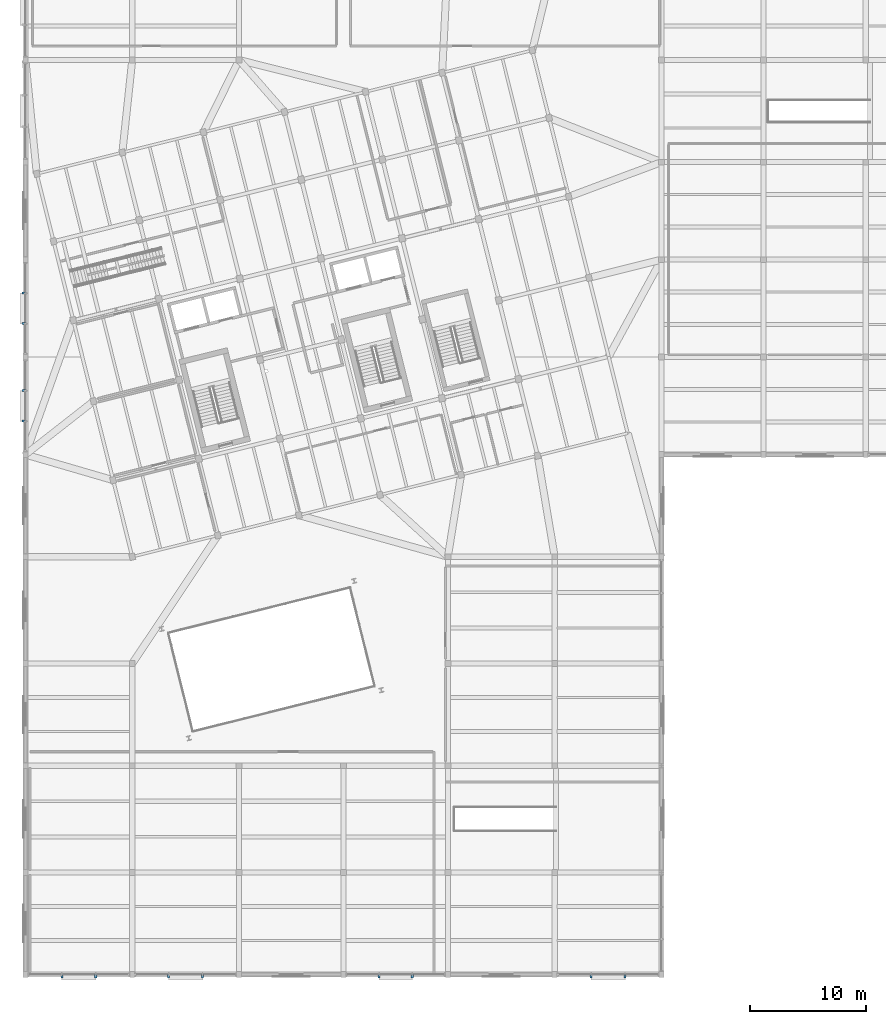
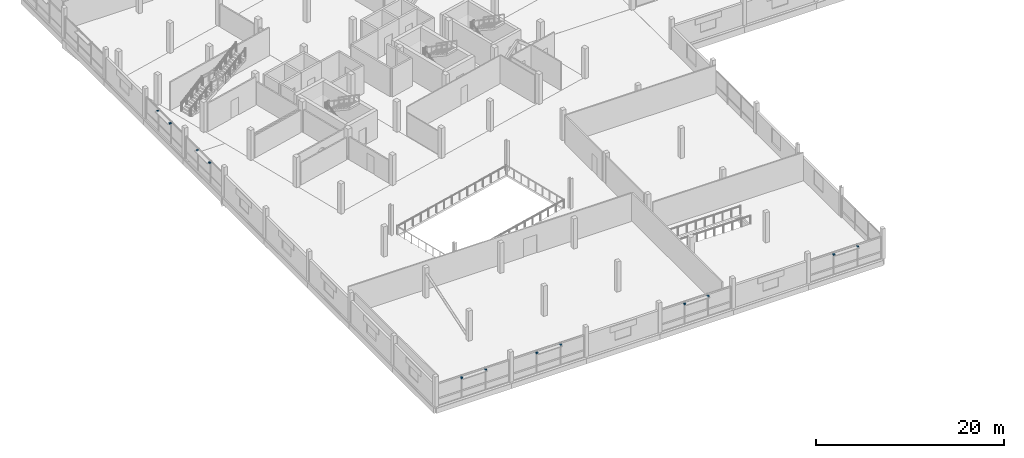
# One storey, part 57 of 62: 12 discrete accessories.
"""IFC4 building model written with IfcOpenShell, lengths in metres."""

from ifc_helpers import new_model, si_unit, direction, frame, origin, origin_2d, place, context, subcontext, project, spatial, rectangle, extrude, material, type_object, element, save


model = new_model("IFC4")

# Units and contexts
model_context = context("Model", 3, precision=1e-05, world=origin(), true_north=direction((0.0, 1.0)))
body_context = subcontext(model_context, "Body", "Model", "MODEL_VIEW")
ifc_project = project(units=[si_unit("LENGTHUNIT", "METRE"), si_unit("AREAUNIT", "SQUARE_METRE"), si_unit("VOLUMEUNIT", "CUBIC_METRE"), si_unit("PLANEANGLEUNIT", "RADIAN"), si_unit("MASSUNIT", "GRAM", prefix="KILO")], contexts=[model_context])

# Site, building, storey
site_placement = place(None, origin())
site = spatial("IfcSite", under=ifc_project, at=site_placement, CompositionType="ELEMENT")
building_placement = place(site_placement, origin())
building = spatial("IfcBuilding", under=site, at=building_placement, Name="Meriwether Solvik Hall", CompositionType="ELEMENT")
storey_placement = place(building_placement, frame((0.0, 0.0, 14.39990234375)))
storey = spatial("IfcBuildingStorey", under=building, at=storey_placement, Name="L03", CompositionType="ELEMENT", Elevation=14.39990234375)

# Discrete accessories
ifc_material = material(Name="Steel A36 Galvanised", Category="steel")
discrete_accessory_type = type_object("IfcDiscreteAccessoryType", Name="ACC-BRK-STL", PredefinedType="BRACKET", material=ifc_material)
for number, where, z_axis, x_axis, name in (
    (1, (65.459228515625, 5.06005859375, 2.55517578125), (0.0, 0.0, 1.0), (-1.0, 0.0, 0.0), "Sunshade Outrigger Bracket wing_XA_7_0-1"),
    (2, (62.540771484375, 5.06005859375, 2.55517578125), (0.0, 0.0, 1.0), (-1.0, 0.0, 0.0), "Sunshade Outrigger Bracket wing_XA_7_0-2"),
    (3, (74.659423828125, 5.06005859375, 2.55517578125), (0.0, 0.0, 1.0), (-1.0, 0.0, 0.0), "Sunshade Outrigger Bracket wing_XA_8_1-1"),
    (4, (71.74072265625, 5.06005859375, 2.55517578125), (0.0, 0.0, 1.0), (-1.0, 0.0, 0.0), "Sunshade Outrigger Bracket wing_XA_8_1-2"),
    (5, (92.72607421875, 5.06005859375, 2.55517578125), (0.0, 0.0, 1.0), (-1.0, 0.0, 0.0), "Sunshade Outrigger Bracket wing_XA_10_3-1"),
    (6, (89.8740234375, 5.06005859375, 2.55517578125), (0.0, 0.0, 1.0), (-1.0, 0.0, 0.0), "Sunshade Outrigger Bracket wing_XA_10_3-2"),
    (7, (111.059326171875, 5.06005859375, 2.55517578125), (0.0, 0.0, 1.0), (-1.0, 0.0, 0.0), "Sunshade Outrigger Bracket wing_XA_12_5-1"),
    (8, (108.140625, 5.06005859375, 2.55517578125), (0.0, 0.0, 1.0), (-1.0, 0.0, 0.0), "Sunshade Outrigger Bracket wing_XA_12_5-2"),
    (9, (59.260009765625, 52.886474609375, 2.55517578125), (0.0, 0.0, 1.0), (0.0, 1.0, 0.0), "Sunshade Outrigger Bracket wing_Y7_6_29-1"),
    (10, (59.260009765625, 55.513427734375, 2.55517578125), (0.0, 0.0, 1.0), (0.0, 1.0, 0.0), "Sunshade Outrigger Bracket wing_Y7_6_29-2"),
    (11, (59.260009765625, 61.28662109375, 2.55517578125), (0.0, 0.0, 1.0), (0.0, 1.0, 0.0), "Sunshade Outrigger Bracket wing_Y7_7_30-1"),
    (12, (59.260009765625, 63.91357421875, 2.55517578125), (0.0, 0.0, 1.0), (0.0, 1.0, 0.0), "Sunshade Outrigger Bracket wing_Y7_7_30-2"),
):
    element("IfcDiscreteAccessory", number, at=place(storey_placement, frame(where, z_axis=z_axis, x_axis=x_axis)), inside=storey, type_object=discrete_accessory_type, Name=name, PredefinedType="BRACKET", context=body_context, shape_type="SweptSolid", body=[
        extrude(rectangle(XDim=0.179931640625, YDim=0.280029296875, at=origin_2d()), origin(), (0.0, 0.0, 1.0), 0.159912109375),
    ])

save(model, "model.ifc")
